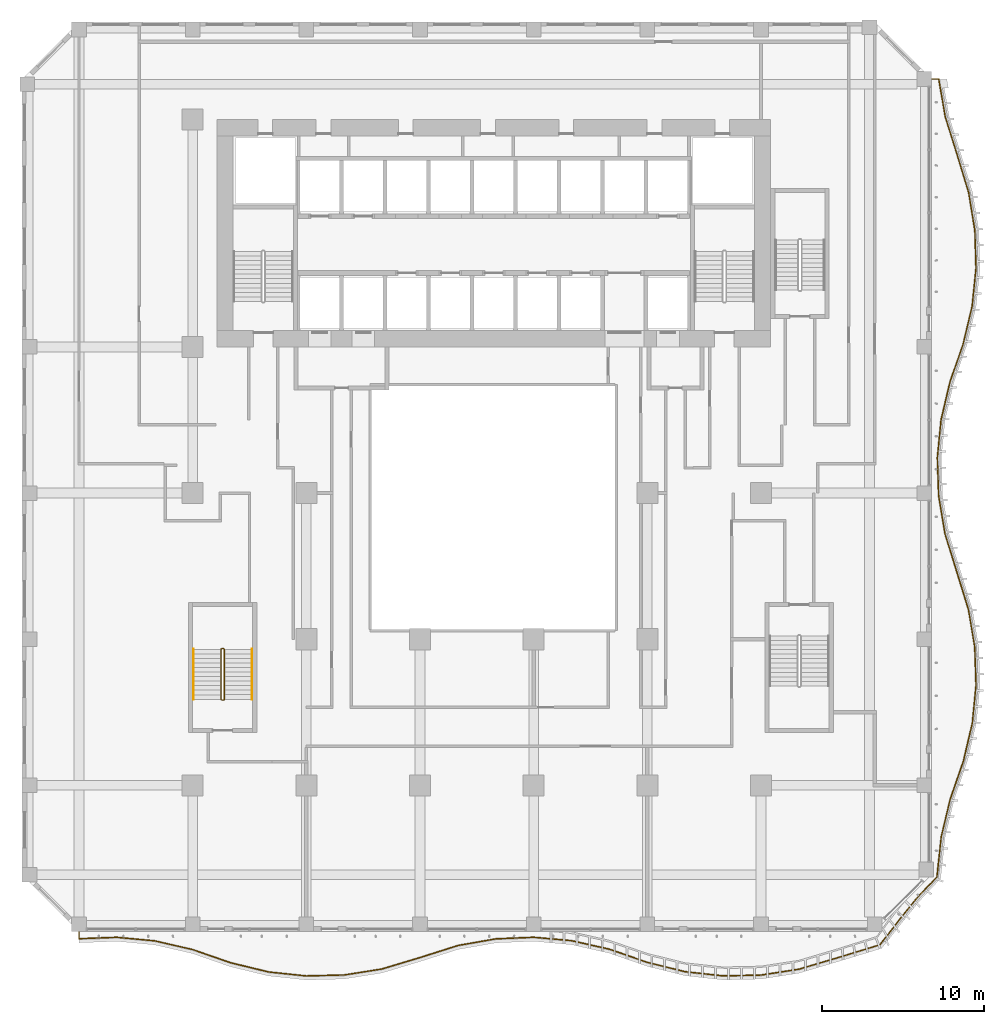
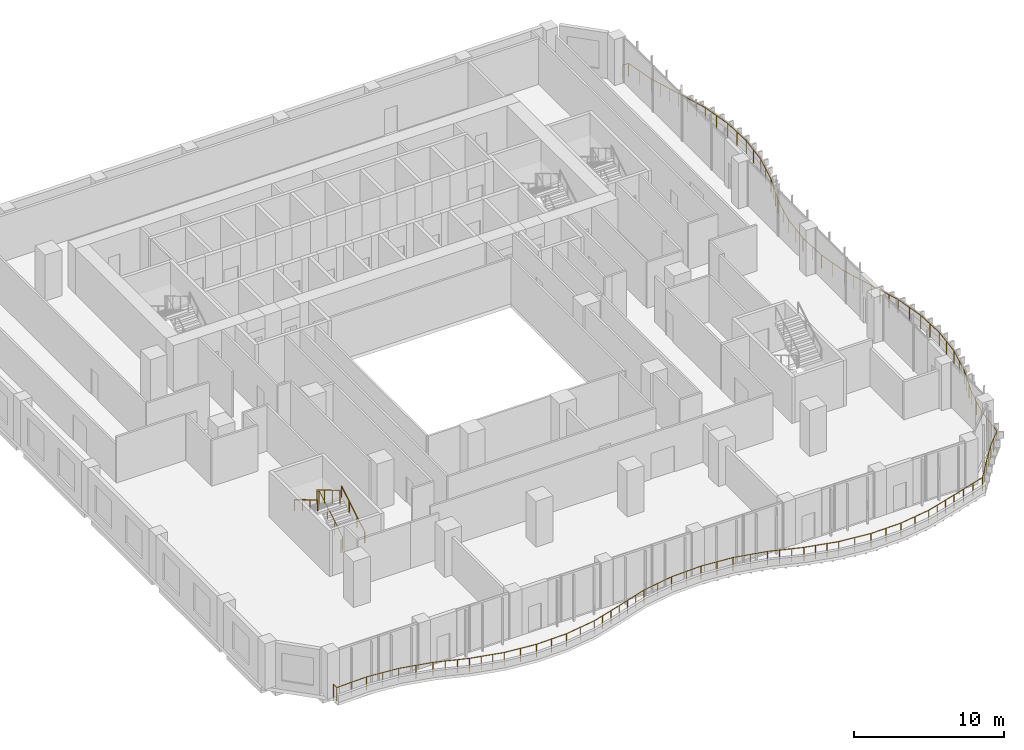
# One storey, part 18 of 25: 4 railings.
"""IFC4 building model written with IfcOpenShell, lengths in metres."""

from ifc_helpers import new_model, si_unit, direction, frame, origin, origin_2d, place, context, subcontext, project, spatial, circle, extrude, material, type_object, element, save


model = new_model("IFC4")

# Units and contexts
model_context = context("Model", 3, precision=1e-05, world=origin(), true_north=direction((0.0, 1.0)))
body_context = subcontext(model_context, "Body", "Model", "MODEL_VIEW")
ifc_project = project(units=[si_unit("LENGTHUNIT", "METRE"), si_unit("AREAUNIT", "SQUARE_METRE"), si_unit("VOLUMEUNIT", "CUBIC_METRE"), si_unit("PLANEANGLEUNIT", "RADIAN"), si_unit("MASSUNIT", "GRAM", prefix="KILO")], contexts=[model_context])

# Site, building, storey
site_placement = place(None, origin())
site = spatial("IfcSite", under=ifc_project, at=site_placement, CompositionType="ELEMENT")
building_placement = place(site_placement, origin())
building = spatial("IfcBuilding", under=site, at=building_placement, Name="Kilnfold Tower and Market Hall", CompositionType="ELEMENT")
storey_placement = place(building_placement, frame((0.0, 0.0, 39.0)))
storey = spatial("IfcBuildingStorey", under=building, at=storey_placement, Name="L08", CompositionType="ELEMENT", Elevation=39.0)

# Railings
ifc_material_1 = material(Name="Stainless steel 316", Category="steel")
railing_type_1 = type_object("IfcRailingType", Name="CORE STAIR GUARD 1100", PredefinedType="GUARDRAIL", material=ifc_material_1)
railing_1_placement = place(storey_placement, frame((-15.699951171875, -13.75, 0.0)))
element("IfcRailing", 1, at=railing_1_placement, inside=storey, type_object=railing_type_1, Name="L08 ST3 stair guard 1", PredefinedType="GUARDRAIL", context=body_context, shape_type="SweptSolid", body=[
    extrude(circle(Radius=0.02392578125, at=origin_2d()), frame((0.0, 0.0, 1.076171875), z_axis=(1.0, 0.0, 0.0), x_axis=(0.0, 1.0, 0.0)), (0.0, 0.0, 1.0), 0.099853515625),
    extrude(circle(Radius=0.02392578125, at=origin_2d()), frame((0.099853515625, 0.0, 1.076171875), z_axis=(0.27628659633, 0.27628659633, 0.920506074601), x_axis=(-0.707106781187, 0.707106781187, 0.0)), (0.0, 0.0, 1.0), 0.18115234375),
    extrude(circle(Radius=0.02392578125, at=origin_2d()), frame((0.14990234375, 0.050048828125, 1.24267578125), z_axis=(0.0, 0.859290745958, 0.51148745235), x_axis=(-1.0, 0.0, 0.0)), (0.0, 0.0, 1.0), 3.584228515625),
    extrude(circle(Radius=0.02392578125, at=origin_2d()), frame((0.14990234375, 3.1298828125, 3.076171875), z_axis=(-0.707106781187, 0.707106781187, 0.0), x_axis=(-0.707106781187, -0.707106781187, 0.0)), (0.0, 0.0, 1.0), 0.07080078125),
    extrude(circle(Radius=0.02392578125, at=origin_2d()), frame((0.099853515625, 3.179931640625, 3.076171875), z_axis=(-1.0, 0.0, 0.0), x_axis=(0.0, -1.0, 0.0)), (0.0, 0.0, 1.0), 0.099853515625),
    extrude(circle(Radius=0.02392578125, at=origin_2d()), frame((0.0, 3.179931640625, 3.076171875), z_axis=(-0.27628659633, -0.27628659633, 0.920506074601), x_axis=(0.707106781187, -0.707106781187, 0.0)), (0.0, 0.0, 1.0), 0.18115234375),
    extrude(circle(Radius=0.02392578125, at=origin_2d()), frame((-0.050048828125, 3.1298828125, 3.24267578125), z_axis=(0.0, -0.859290745958, 0.51148745235), x_axis=(1.0, 0.0, 0.0)), (0.0, 0.0, 1.0), 3.584228515625),
    extrude(circle(Radius=0.02099609375, at=origin_2d()), origin(), (0.0, 0.0, 1.0), 1.052001953125),
    extrude(circle(Radius=0.02099609375, at=origin_2d()), frame((0.099853515625, 0.0, 0.0)), (0.0, 0.0, 1.0), 1.052001953125),
    extrude(circle(Radius=0.02099609375, at=origin_2d()), frame((0.14990234375, 0.050048828125, 0.166748046875)), (0.0, 0.0, 1.0), 1.052001953125),
    extrude(circle(Radius=0.02099609375, at=origin_2d()), frame((0.14990234375, 1.07666015625, 0.77783203125)), (0.0, 0.0, 1.0), 1.052001953125),
    extrude(circle(Radius=0.02099609375, at=origin_2d()), frame((0.14990234375, 2.103271484375, 1.388916015625)), (0.0, 0.0, 1.0), 1.052001953125),
    extrude(circle(Radius=0.02099609375, at=origin_2d()), frame((0.14990234375, 3.1298828125, 2.0)), (0.0, 0.0, 1.0), 1.052001953125),
    extrude(circle(Radius=0.02099609375, at=origin_2d()), frame((0.099853515625, 3.179931640625, 2.0)), (0.0, 0.0, 1.0), 1.052001953125),
    extrude(circle(Radius=0.02099609375, at=origin_2d()), frame((0.0, 3.179931640625, 2.0)), (0.0, 0.0, 1.0), 1.052001953125),
    extrude(circle(Radius=0.02099609375, at=origin_2d()), frame((-0.050048828125, 3.1298828125, 2.166748046875)), (0.0, 0.0, 1.0), 1.052001953125),
    extrude(circle(Radius=0.02099609375, at=origin_2d()), frame((-0.050048828125, 2.103271484375, 2.77783203125)), (0.0, 0.0, 1.0), 1.052001953125),
    extrude(circle(Radius=0.02099609375, at=origin_2d()), frame((-0.050048828125, 1.07666015625, 3.388916015625)), (0.0, 0.0, 1.0), 1.052001953125),
    extrude(circle(Radius=0.02099609375, at=origin_2d()), frame((-0.050048828125, 0.050048828125, 4.0)), (0.0, 0.0, 1.0), 1.052001953125),
])
ifc_material_2 = material(Name="Stainless steel 316", Category="steel")
railing_type_2 = type_object("IfcRailingType", Name="CORE STAIR HANDRAIL 900", PredefinedType="HANDRAIL", material=ifc_material_2)
railing_2_placement = place(storey_placement, frame((-13.85009765625, -13.699951171875, 0.166748046875)))
element("IfcRailing", 2, at=railing_2_placement, inside=storey, type_object=railing_type_2, Name="L08 ST3 stair handrail 1", PredefinedType="HANDRAIL", context=body_context, shape_type="SweptSolid", body=[
    extrude(circle(Radius=0.02392578125, at=origin_2d()), frame((0.0, 0.0, 0.8759765625), z_axis=(0.0, 0.859290745958, 0.51148745235), x_axis=(-1.0, 0.0, 0.0)), (0.0, 0.0, 1.0), 3.584228515625),
    extrude(circle(Radius=0.02099609375, at=origin_2d()), origin(), (0.0, 0.0, 1.0), 0.851806640625),
    extrude(circle(Radius=0.02099609375, at=origin_2d()), frame((0.0, 1.026611328125, 0.611083984375)), (0.0, 0.0, 1.0), 0.851806640625),
    extrude(circle(Radius=0.02099609375, at=origin_2d()), frame((0.0, 2.05322265625, 1.22216796875)), (0.0, 0.0, 1.0), 0.851806640625),
    extrude(circle(Radius=0.02099609375, at=origin_2d()), frame((0.0, 3.079833984375, 1.833251953125)), (0.0, 0.0, 1.0), 0.851806640625),
])
railing_3_placement = place(storey_placement, frame((-17.449951171875, -10.6201171875, 2.166748046875)))
element("IfcRailing", 3, at=railing_3_placement, inside=storey, type_object=railing_type_2, Name="L08 ST3 stair handrail 2", PredefinedType="HANDRAIL", context=body_context, shape_type="SweptSolid", body=[
    extrude(circle(Radius=0.02392578125, at=origin_2d()), frame((0.0, 0.0, 0.8759765625), z_axis=(0.0, -0.859290745958, 0.51148745235), x_axis=(1.0, 0.0, 0.0)), (0.0, 0.0, 1.0), 3.584228515625),
    extrude(circle(Radius=0.02099609375, at=origin_2d()), origin(), (0.0, 0.0, 1.0), 0.851806640625),
    extrude(circle(Radius=0.02099609375, at=origin_2d()), frame((0.0, -1.026611328125, 0.611083984375)), (0.0, 0.0, 1.0), 0.851806640625),
    extrude(circle(Radius=0.02099609375, at=origin_2d()), frame((0.0, -2.05322265625, 1.22216796875)), (0.0, 0.0, 1.0), 0.851806640625),
    extrude(circle(Radius=0.02099609375, at=origin_2d()), frame((0.0, -3.079833984375, 1.833251953125)), (0.0, 0.0, 1.0), 0.851806640625),
])
ifc_material_3 = material(Name="Stainless steel and laminated glass", Category="steel")
railing_type_3 = type_object("IfcRailingType", Name="GUARD 1100", PredefinedType="GUARDRAIL", material=ifc_material_3)
railing_4_placement = place(storey_placement, frame((-24.5, -28.0, 0.0)))
element("IfcRailing", 4, at=railing_4_placement, inside=storey, type_object=railing_type_3, Name="Guard balcony L08", PredefinedType="GUARDRAIL", context=body_context, shape_type="SweptSolid", body=[
    extrude(circle(Radius=0.02490234375, at=origin_2d()), frame((0.0, 0.0, 1.0751953125), z_axis=(0.0, -1.0, 0.0), x_axis=(1.0, 0.0, 0.0)), (0.0, 0.0, 1.0), 0.44482421875),
    extrude(circle(Radius=0.02490234375, at=origin_2d()), frame((0.0, -0.44482421875, 1.0751953125), z_axis=(0.99929128772, 0.037642028208, 0.0), x_axis=(-0.037642028208, 0.99929128772, 0.0)), (0.0, 0.0, 1.0), 2.3349609375),
    extrude(circle(Radius=0.02490234375, at=origin_2d()), frame((2.333251953125, -0.35693359375, 1.0751953125), z_axis=(0.995644505792, -0.093230993166, 0.0), x_axis=(0.093230993166, 0.995644505792, 0.0)), (0.0, 0.0, 1.0), 2.34375),
    extrude(circle(Radius=0.02490234375, at=origin_2d()), frame((4.666748046875, -0.575439453125, 1.0751953125), z_axis=(0.974513070735, -0.224330726757, 0.0), x_axis=(0.224330726757, 0.974513070735, 0.0)), (0.0, 0.0, 1.0), 2.394287109375),
    extrude(circle(Radius=0.02490234375, at=origin_2d()), frame((7.0, -1.112548828125, 1.0751953125), z_axis=(0.94477785136, -0.327711476118, 0.0), x_axis=(0.327711476118, 0.94477785136, 0.0)), (0.0, 0.0, 1.0), 2.4697265625),
    extrude(circle(Radius=0.02490234375, at=origin_2d()), frame((9.333251953125, -1.921875, 1.0751953125), z_axis=(0.971689053427, -0.236263377293, 0.0), x_axis=(0.236263377293, 0.971689053427, 0.0)), (0.0, 0.0, 1.0), 2.4013671875),
    extrude(circle(Radius=0.02490234375, at=origin_2d()), frame((11.666748046875, -2.4892578125, 1.0751953125), z_axis=(0.994451154316, -0.105199342578, 0.0), x_axis=(0.105199342578, 0.994451154316, 0.0)), (0.0, 0.0, 1.0), 2.34619140625),
    extrude(circle(Radius=0.02490234375, at=origin_2d()), frame((14.0, -2.736083984375, 1.0751953125), z_axis=(0.999666187007, 0.025836303044, 0.0), x_axis=(-0.025836303044, 0.999666187007, 0.0)), (0.0, 0.0, 1.0), 2.333984375),
    extrude(circle(Radius=0.02490234375, at=origin_2d()), frame((16.333251953125, -2.67578125, 1.0751953125), z_axis=(0.987637813882, 0.156753145392, 0.0), x_axis=(-0.156753145392, 0.987637813882, 0.0)), (0.0, 0.0, 1.0), 2.36279296875),
    extrude(circle(Radius=0.02490234375, at=origin_2d()), frame((18.666748046875, -2.305419921875, 1.0751953125), z_axis=(0.957663412718, 0.287890235925, 0.0), x_axis=(-0.287890235925, 0.957663412718, 0.0)), (0.0, 0.0, 1.0), 2.436279296875),
    extrude(circle(Radius=0.02490234375, at=origin_2d()), frame((21.0, -1.60400390625, 1.0751953125), z_axis=(0.952921851424, 0.303216003995, 0.0), x_axis=(-0.303216003995, 0.952921851424, 0.0)), (0.0, 0.0, 1.0), 2.448486328125),
    extrude(circle(Radius=0.02490234375, at=origin_2d()), frame((23.333251953125, -0.861572265625, 1.0751953125), z_axis=(0.984971791129, 0.172715287919, 0.0), x_axis=(-0.172715287919, 0.984971791129, 0.0)), (0.0, 0.0, 1.0), 2.369140625),
    extrude(circle(Radius=0.02490234375, at=origin_2d()), frame((25.666748046875, -0.452392578125, 1.0751953125), z_axis=(0.999129627144, 0.041713165348, 0.0), x_axis=(-0.041713165348, 0.999129627144, 0.0)), (0.0, 0.0, 1.0), 2.335205078125),
    extrude(circle(Radius=0.02490234375, at=origin_2d()), frame((28.0, -0.35498046875, 1.0751953125), z_axis=(0.996003508368, -0.089314116006, 0.0), x_axis=(0.089314116006, 0.996003508368, 0.0)), (0.0, 0.0, 1.0), 2.342529296875),
    extrude(circle(Radius=0.02490234375, at=origin_2d()), frame((30.333251953125, -0.564208984375, 1.0751953125), z_axis=(0.975424731517, -0.220332914349, 0.0), x_axis=(0.220332914349, 0.975424731517, 0.0)), (0.0, 0.0, 1.0), 2.392333984375),
    extrude(circle(Radius=0.02490234375, at=origin_2d()), frame((32.666748046875, -1.09130859375, 1.0751953125), z_axis=(0.944930811153, -0.327270166885, 0.0), x_axis=(0.327270166885, 0.944930811153, 0.0)), (0.0, 0.0, 1.0), 2.46923828125),
    extrude(circle(Radius=0.02490234375, at=origin_2d()), frame((35.0, -1.8994140625, 1.0751953125), z_axis=(0.970719285672, -0.240216711375, 0.0), x_axis=(0.240216711375, 0.970719285672, 0.0)), (0.0, 0.0, 1.0), 2.403564453125),
    extrude(circle(Radius=0.02490234375, at=origin_2d()), frame((37.333251953125, -2.476806640625, 1.0751953125), z_axis=(0.994031227519, -0.109095915219, 0.0), x_axis=(0.109095915219, 0.994031227519, 0.0)), (0.0, 0.0, 1.0), 2.347412109375),
    extrude(circle(Radius=0.02490234375, at=origin_2d()), frame((39.666748046875, -2.73291015625, 1.0751953125), z_axis=(0.999763244951, 0.021758999158, 0.0), x_axis=(-0.021758999158, 0.999763244951, 0.0)), (0.0, 0.0, 1.0), 2.333740234375),
    extrude(circle(Radius=0.02490234375, at=origin_2d()), frame((42.0, -2.68212890625, 1.0751953125), z_axis=(0.988251847609, 0.152834177123, 0.0), x_axis=(-0.152834177123, 0.988251847609, 0.0)), (0.0, 0.0, 1.0), 2.361083984375),
    extrude(circle(Radius=0.02490234375, at=origin_2d()), frame((44.333251953125, -2.3212890625, 1.0751953125), z_axis=(0.95888005112, 0.283811640994, 0.0), x_axis=(-0.283811640994, 0.95888005112, 0.0)), (0.0, 0.0, 1.0), 2.43359375),
    extrude(circle(Radius=0.02490234375, at=origin_2d()), frame((46.666748046875, -1.630615234375, 1.0751953125), z_axis=(0.956056495729, 0.29318249773, 0.0), x_axis=(-0.29318249773, 0.956056495729, 0.0)), (0.0, 0.0, 1.0), 2.792236328125),
    extrude(circle(Radius=0.02490234375, at=origin_2d()), frame((49.336181640625, -0.81201171875, 1.0751953125), z_axis=(0.608544097831, 0.793520057084, 0.0), x_axis=(-0.793520057084, 0.608544097831, 0.0)), (0.0, 0.0, 1.0), 2.00341796875),
    extrude(circle(Radius=0.02490234375, at=origin_2d()), frame((50.555419921875, 0.77783203125, 1.0751953125), z_axis=(0.630404206472, 0.776267052284, 0.0), x_axis=(-0.776267052284, 0.630404206472, 0.0)), (0.0, 0.0, 1.0), 1.65869140625),
    extrude(circle(Radius=0.02490234375, at=origin_2d()), frame((51.60107421875, 2.0654296875, 1.0751953125), z_axis=(0.689072203812, 0.724692692066, 0.0), x_axis=(-0.724692692066, 0.689072203812, 0.0)), (0.0, 0.0, 1.0), 1.788818359375),
    extrude(circle(Radius=0.02490234375, at=origin_2d()), frame((52.833740234375, 3.36181640625, 1.0751953125), z_axis=(0.106668378268, 0.994294653047, 0.0), x_axis=(-0.994294653047, 0.106668378268, 0.0)), (0.0, 0.0, 1.0), 2.485595703125),
    extrude(circle(Radius=0.02490234375, at=origin_2d()), frame((53.098876953125, 5.833251953125, 1.0751953125), z_axis=(0.232225826385, 0.972661896838, 0.0), x_axis=(-0.972661896838, 0.232225826385, 0.0)), (0.0, 0.0, 1.0), 2.399169921875),
    extrude(circle(Radius=0.02490234375, at=origin_2d()), frame((53.656005859375, 8.166748046875, 1.0751953125), z_axis=(0.327976158754, 0.944686000367, 0.0), x_axis=(-0.944686000367, 0.327976158754, 0.0)), (0.0, 0.0, 1.0), 2.469970703125),
    extrude(circle(Radius=0.02490234375, at=origin_2d()), frame((54.466064453125, 10.5, 1.0751953125), z_axis=(0.228198867295, 0.973614542293, 0.0), x_axis=(-0.973614542293, 0.228198867295, 0.0)), (0.0, 0.0, 1.0), 2.396484375),
    extrude(circle(Radius=0.02490234375, at=origin_2d()), frame((55.012939453125, 12.833251953125, 1.0751953125), z_axis=(0.097255940957, 0.995259404351, 0.0), x_axis=(-0.995259404351, 0.097255940957, 0.0)), (0.0, 0.0, 1.0), 2.3447265625),
    extrude(circle(Radius=0.02490234375, at=origin_2d()), frame((55.240966796875, 15.166748046875, 1.0751953125), z_axis=(-0.033673473879, 0.99943288777, 0.0), x_axis=(-0.99943288777, -0.033673473879, 0.0)), (0.0, 0.0, 1.0), 2.33447265625),
    extrude(circle(Radius=0.02490234375, at=origin_2d()), frame((55.162353515625, 17.5, 1.0751953125), z_axis=(-0.164817368585, 0.986324102419, 0.0), x_axis=(-0.986324102419, -0.164817368585, 0.0)), (0.0, 0.0, 1.0), 2.36572265625),
    extrude(circle(Radius=0.02490234375, at=origin_2d()), frame((54.7724609375, 19.833251953125, 1.0751953125), z_axis=(-0.295735845624, 0.95526975751, 0.0), x_axis=(-0.95526975751, -0.295735845624, 0.0)), (0.0, 0.0, 1.0), 2.44287109375),
    extrude(circle(Radius=0.02490234375, at=origin_2d()), frame((54.050048828125, 22.166748046875, 1.0751953125), z_axis=(-0.29585528967, 0.955232771409, 0.0), x_axis=(-0.955232771409, -0.29585528967, 0.0)), (0.0, 0.0, 1.0), 2.442626953125),
    extrude(circle(Radius=0.02490234375, at=origin_2d()), frame((53.327392578125, 24.5, 1.0751953125), z_axis=(-0.164716965182, 0.986340874841, 0.0), x_axis=(-0.986340874841, -0.164716965182, 0.0)), (0.0, 0.0, 1.0), 2.365478515625),
    extrude(circle(Radius=0.02490234375, at=origin_2d()), frame((52.937744140625, 26.833251953125, 1.0751953125), z_axis=(-0.033774400789, 0.99942948218, 0.0), x_axis=(-0.99942948218, -0.033774400789, 0.0)), (0.0, 0.0, 1.0), 2.334716796875),
    extrude(circle(Radius=0.02490234375, at=origin_2d()), frame((52.85888671875, 29.166748046875, 1.0751953125), z_axis=(0.097266021095, 0.995258419276, 0.0), x_axis=(-0.995258419276, 0.097266021095, 0.0)), (0.0, 0.0, 1.0), 2.344482421875),
    extrude(circle(Radius=0.02490234375, at=origin_2d()), frame((53.0869140625, 31.5, 1.0751953125), z_axis=(0.228295433335, 0.973591903786, 0.0), x_axis=(-0.973591903786, 0.228295433335, 0.0)), (0.0, 0.0, 1.0), 2.396484375),
    extrude(circle(Radius=0.02490234375, at=origin_2d()), frame((53.634033203125, 33.833251953125, 1.0751953125), z_axis=(0.327945535063, 0.944696631746, 0.0), x_axis=(-0.944696631746, 0.327945535063, 0.0)), (0.0, 0.0, 1.0), 2.47021484375),
    extrude(circle(Radius=0.02490234375, at=origin_2d()), frame((54.444091796875, 36.166748046875, 1.0751953125), z_axis=(0.232248814801, 0.972656408, 0.0), x_axis=(-0.972656408, 0.232248814801, 0.0)), (0.0, 0.0, 1.0), 2.39892578125),
    extrude(circle(Radius=0.02490234375, at=origin_2d()), frame((55.001220703125, 38.5, 1.0751953125), z_axis=(0.101286610936, 0.994857287477, 0.0), x_axis=(-0.994857287477, 0.101286610936, 0.0)), (0.0, 0.0, 1.0), 2.34521484375),
    extrude(circle(Radius=0.02490234375, at=origin_2d()), frame((55.23876953125, 40.833251953125, 1.0751953125), z_axis=(-0.029804706654, 0.999555741048, 0.0), x_axis=(-0.999555741048, -0.029804706654, 0.0)), (0.0, 0.0, 1.0), 2.33447265625),
    extrude(circle(Radius=0.02490234375, at=origin_2d()), frame((55.169189453125, 43.166748046875, 1.0751953125), z_axis=(-0.160797265855, 0.986987456503, 0.0), x_axis=(-0.986987456503, -0.160797265855, 0.0)), (0.0, 0.0, 1.0), 2.364013671875),
    extrude(circle(Radius=0.02490234375, at=origin_2d()), frame((54.7890625, 45.5, 1.0751953125), z_axis=(-0.291834576062, 0.956468807758, 0.0), x_axis=(-0.956468807758, -0.291834576062, 0.0)), (0.0, 0.0, 1.0), 2.439453125),
    extrude(circle(Radius=0.02490234375, at=origin_2d()), frame((54.0771484375, 47.833251953125, 1.0751953125), z_axis=(-0.299650095299, 0.954049170843, 0.0), x_axis=(-0.954049170843, -0.299650095299, 0.0)), (0.0, 0.0, 1.0), 2.44580078125),
    extrude(circle(Radius=0.02490234375, at=origin_2d()), frame((53.34423828125, 50.166748046875, 1.0751953125), z_axis=(-0.168729077701, 0.985662466739, 0.0), x_axis=(-0.985662466739, -0.168729077701, 0.0)), (0.0, 0.0, 1.0), 2.3671875),
    extrude(circle(Radius=0.02490234375, at=origin_2d()), frame((52.94482421875, 52.5, 1.0751953125), z_axis=(-1.0, 0.0, 0.0), x_axis=(0.0, -1.0, 0.0)), (0.0, 0.0, 1.0), 0.44482421875),
    extrude(circle(Radius=0.02490234375, at=origin_2d()), origin(), (0.0, 0.0, 1.0), 1.050048828125),
    extrude(circle(Radius=0.02490234375, at=origin_2d()), frame((0.0, -0.44482421875, 0.0)), (0.0, 0.0, 1.0), 1.050048828125),
    extrude(circle(Radius=0.02490234375, at=origin_2d()), frame((1.16650390625, -0.40087890625, 0.0)), (0.0, 0.0, 1.0), 1.050048828125),
    extrude(circle(Radius=0.02490234375, at=origin_2d()), frame((2.333251953125, -0.35693359375, 0.0)), (0.0, 0.0, 1.0), 1.050048828125),
    extrude(circle(Radius=0.02490234375, at=origin_2d()), frame((3.5, -0.46630859375, 0.0)), (0.0, 0.0, 1.0), 1.050048828125),
    extrude(circle(Radius=0.02490234375, at=origin_2d()), frame((4.666748046875, -0.575439453125, 0.0)), (0.0, 0.0, 1.0), 1.050048828125),
    extrude(circle(Radius=0.02490234375, at=origin_2d()), frame((5.83349609375, -0.843994140625, 0.0)), (0.0, 0.0, 1.0), 1.050048828125),
    extrude(circle(Radius=0.02490234375, at=origin_2d()), frame((7.0, -1.112548828125, 0.0)), (0.0, 0.0, 1.0), 1.050048828125),
    extrude(circle(Radius=0.02490234375, at=origin_2d()), frame((7.77783203125, -1.38232421875, 0.0)), (0.0, 0.0, 1.0), 1.050048828125),
    extrude(circle(Radius=0.02490234375, at=origin_2d()), frame((8.555419921875, -1.652099609375, 0.0)), (0.0, 0.0, 1.0), 1.050048828125),
    extrude(circle(Radius=0.02490234375, at=origin_2d()), frame((9.333251953125, -1.921875, 0.0)), (0.0, 0.0, 1.0), 1.050048828125),
    extrude(circle(Radius=0.02490234375, at=origin_2d()), frame((10.111083984375, -2.111083984375, 0.0)), (0.0, 0.0, 1.0), 1.050048828125),
    extrude(circle(Radius=0.02490234375, at=origin_2d()), frame((10.888916015625, -2.300048828125, 0.0)), (0.0, 0.0, 1.0), 1.050048828125),
    extrude(circle(Radius=0.02490234375, at=origin_2d()), frame((11.666748046875, -2.4892578125, 0.0)), (0.0, 0.0, 1.0), 1.050048828125),
    extrude(circle(Radius=0.02490234375, at=origin_2d()), frame((12.83349609375, -2.61279296875, 0.0)), (0.0, 0.0, 1.0), 1.050048828125),
    extrude(circle(Radius=0.02490234375, at=origin_2d()), frame((14.0, -2.736083984375, 0.0)), (0.0, 0.0, 1.0), 1.050048828125),
    extrude(circle(Radius=0.02490234375, at=origin_2d()), frame((15.16650390625, -2.7060546875, 0.0)), (0.0, 0.0, 1.0), 1.050048828125),
    extrude(circle(Radius=0.02490234375, at=origin_2d()), frame((16.333251953125, -2.67578125, 0.0)), (0.0, 0.0, 1.0), 1.050048828125),
    extrude(circle(Radius=0.02490234375, at=origin_2d()), frame((17.5, -2.49072265625, 0.0)), (0.0, 0.0, 1.0), 1.050048828125),
    extrude(circle(Radius=0.02490234375, at=origin_2d()), frame((18.666748046875, -2.305419921875, 0.0)), (0.0, 0.0, 1.0), 1.050048828125),
    extrude(circle(Radius=0.02490234375, at=origin_2d()), frame((19.444580078125, -2.071533203125, 0.0)), (0.0, 0.0, 1.0), 1.050048828125),
    extrude(circle(Radius=0.02490234375, at=origin_2d()), frame((20.22216796875, -1.837890625, 0.0)), (0.0, 0.0, 1.0), 1.050048828125),
    extrude(circle(Radius=0.02490234375, at=origin_2d()), frame((21.0, -1.60400390625, 0.0)), (0.0, 0.0, 1.0), 1.050048828125),
    extrude(circle(Radius=0.02490234375, at=origin_2d()), frame((21.77783203125, -1.3564453125, 0.0)), (0.0, 0.0, 1.0), 1.050048828125),
    extrude(circle(Radius=0.02490234375, at=origin_2d()), frame((22.555419921875, -1.109130859375, 0.0)), (0.0, 0.0, 1.0), 1.050048828125),
    extrude(circle(Radius=0.02490234375, at=origin_2d()), frame((23.333251953125, -0.861572265625, 0.0)), (0.0, 0.0, 1.0), 1.050048828125),
    extrude(circle(Radius=0.02490234375, at=origin_2d()), frame((24.5, -0.656982421875, 0.0)), (0.0, 0.0, 1.0), 1.050048828125),
    extrude(circle(Radius=0.02490234375, at=origin_2d()), frame((25.666748046875, -0.452392578125, 0.0)), (0.0, 0.0, 1.0), 1.050048828125),
    extrude(circle(Radius=0.02490234375, at=origin_2d()), frame((26.83349609375, -0.40380859375, 0.0)), (0.0, 0.0, 1.0), 1.050048828125),
    extrude(circle(Radius=0.02490234375, at=origin_2d()), frame((28.0, -0.35498046875, 0.0)), (0.0, 0.0, 1.0), 1.050048828125),
    extrude(circle(Radius=0.02490234375, at=origin_2d()), frame((29.16650390625, -0.45947265625, 0.0)), (0.0, 0.0, 1.0), 1.050048828125),
    extrude(circle(Radius=0.02490234375, at=origin_2d()), frame((30.333251953125, -0.564208984375, 0.0)), (0.0, 0.0, 1.0), 1.050048828125),
    extrude(circle(Radius=0.02490234375, at=origin_2d()), frame((31.5, -0.82763671875, 0.0)), (0.0, 0.0, 1.0), 1.050048828125),
    extrude(circle(Radius=0.02490234375, at=origin_2d()), frame((32.666748046875, -1.09130859375, 0.0)), (0.0, 0.0, 1.0), 1.050048828125),
    extrude(circle(Radius=0.02490234375, at=origin_2d()), frame((33.444580078125, -1.360595703125, 0.0)), (0.0, 0.0, 1.0), 1.050048828125),
    extrude(circle(Radius=0.02490234375, at=origin_2d()), frame((34.22216796875, -1.630126953125, 0.0)), (0.0, 0.0, 1.0), 1.050048828125),
    extrude(circle(Radius=0.02490234375, at=origin_2d()), frame((35.0, -1.8994140625, 0.0)), (0.0, 0.0, 1.0), 1.050048828125),
    extrude(circle(Radius=0.02490234375, at=origin_2d()), frame((35.77783203125, -2.091796875, 0.0)), (0.0, 0.0, 1.0), 1.050048828125),
    extrude(circle(Radius=0.02490234375, at=origin_2d()), frame((36.555419921875, -2.284423828125, 0.0)), (0.0, 0.0, 1.0), 1.050048828125),
    extrude(circle(Radius=0.02490234375, at=origin_2d()), frame((37.333251953125, -2.476806640625, 0.0)), (0.0, 0.0, 1.0), 1.050048828125),
    extrude(circle(Radius=0.02490234375, at=origin_2d()), frame((38.5, -2.60498046875, 0.0)), (0.0, 0.0, 1.0), 1.050048828125),
    extrude(circle(Radius=0.02490234375, at=origin_2d()), frame((39.666748046875, -2.73291015625, 0.0)), (0.0, 0.0, 1.0), 1.050048828125),
    extrude(circle(Radius=0.02490234375, at=origin_2d()), frame((40.83349609375, -2.70751953125, 0.0)), (0.0, 0.0, 1.0), 1.050048828125),
    extrude(circle(Radius=0.02490234375, at=origin_2d()), frame((42.0, -2.68212890625, 0.0)), (0.0, 0.0, 1.0), 1.050048828125),
    extrude(circle(Radius=0.02490234375, at=origin_2d()), frame((43.16650390625, -2.501708984375, 0.0)), (0.0, 0.0, 1.0), 1.050048828125),
    extrude(circle(Radius=0.02490234375, at=origin_2d()), frame((44.333251953125, -2.3212890625, 0.0)), (0.0, 0.0, 1.0), 1.050048828125),
    extrude(circle(Radius=0.02490234375, at=origin_2d()), frame((45.111083984375, -2.091064453125, 0.0)), (0.0, 0.0, 1.0), 1.050048828125),
    extrude(circle(Radius=0.02490234375, at=origin_2d()), frame((45.888916015625, -1.86083984375, 0.0)), (0.0, 0.0, 1.0), 1.050048828125),
    extrude(circle(Radius=0.02490234375, at=origin_2d()), frame((46.666748046875, -1.630615234375, 0.0)), (0.0, 0.0, 1.0), 1.050048828125),
    extrude(circle(Radius=0.02490234375, at=origin_2d()), frame((47.556640625, -1.357666015625, 0.0)), (0.0, 0.0, 1.0), 1.050048828125),
    extrude(circle(Radius=0.02490234375, at=origin_2d()), frame((48.4462890625, -1.0849609375, 0.0)), (0.0, 0.0, 1.0), 1.050048828125),
    extrude(circle(Radius=0.02490234375, at=origin_2d()), frame((49.336181640625, -0.81201171875, 0.0)), (0.0, 0.0, 1.0), 1.050048828125),
    extrude(circle(Radius=0.02490234375, at=origin_2d()), frame((49.94580078125, -0.01708984375, 0.0)), (0.0, 0.0, 1.0), 1.050048828125),
    extrude(circle(Radius=0.02490234375, at=origin_2d()), frame((50.555419921875, 0.77783203125, 0.0)), (0.0, 0.0, 1.0), 1.050048828125),
    extrude(circle(Radius=0.02490234375, at=origin_2d()), frame((51.078125, 1.421630859375, 0.0)), (0.0, 0.0, 1.0), 1.050048828125),
    extrude(circle(Radius=0.02490234375, at=origin_2d()), frame((51.60107421875, 2.0654296875, 0.0)), (0.0, 0.0, 1.0), 1.050048828125),
    extrude(circle(Radius=0.02490234375, at=origin_2d()), frame((52.21728515625, 2.713623046875, 0.0)), (0.0, 0.0, 1.0), 1.050048828125),
    extrude(circle(Radius=0.02490234375, at=origin_2d()), frame((52.833740234375, 3.36181640625, 0.0)), (0.0, 0.0, 1.0), 1.050048828125),
    extrude(circle(Radius=0.02490234375, at=origin_2d()), frame((52.922119140625, 4.185546875, 0.0)), (0.0, 0.0, 1.0), 1.050048828125),
    extrude(circle(Radius=0.02490234375, at=origin_2d()), frame((53.010498046875, 5.009521484375, 0.0)), (0.0, 0.0, 1.0), 1.050048828125),
    extrude(circle(Radius=0.02490234375, at=origin_2d()), frame((53.098876953125, 5.833251953125, 0.0)), (0.0, 0.0, 1.0), 1.050048828125),
    extrude(circle(Radius=0.02490234375, at=origin_2d()), frame((53.37744140625, 7.0, 0.0)), (0.0, 0.0, 1.0), 1.050048828125),
    extrude(circle(Radius=0.02490234375, at=origin_2d()), frame((53.656005859375, 8.166748046875, 0.0)), (0.0, 0.0, 1.0), 1.050048828125),
    extrude(circle(Radius=0.02490234375, at=origin_2d()), frame((53.926025390625, 8.944580078125, 0.0)), (0.0, 0.0, 1.0), 1.050048828125),
    extrude(circle(Radius=0.02490234375, at=origin_2d()), frame((54.196044921875, 9.72216796875, 0.0)), (0.0, 0.0, 1.0), 1.050048828125),
    extrude(circle(Radius=0.02490234375, at=origin_2d()), frame((54.466064453125, 10.5, 0.0)), (0.0, 0.0, 1.0), 1.050048828125),
    extrude(circle(Radius=0.02490234375, at=origin_2d()), frame((54.739501953125, 11.66650390625, 0.0)), (0.0, 0.0, 1.0), 1.050048828125),
    extrude(circle(Radius=0.02490234375, at=origin_2d()), frame((55.012939453125, 12.833251953125, 0.0)), (0.0, 0.0, 1.0), 1.050048828125),
    extrude(circle(Radius=0.02490234375, at=origin_2d()), frame((55.126953125, 14.0, 0.0)), (0.0, 0.0, 1.0), 1.050048828125),
    extrude(circle(Radius=0.02490234375, at=origin_2d()), frame((55.240966796875, 15.166748046875, 0.0)), (0.0, 0.0, 1.0), 1.050048828125),
    extrude(circle(Radius=0.02490234375, at=origin_2d()), frame((55.20166015625, 16.33349609375, 0.0)), (0.0, 0.0, 1.0), 1.050048828125),
    extrude(circle(Radius=0.02490234375, at=origin_2d()), frame((55.162353515625, 17.5, 0.0)), (0.0, 0.0, 1.0), 1.050048828125),
    extrude(circle(Radius=0.02490234375, at=origin_2d()), frame((54.96728515625, 18.66650390625, 0.0)), (0.0, 0.0, 1.0), 1.050048828125),
    extrude(circle(Radius=0.02490234375, at=origin_2d()), frame((54.7724609375, 19.833251953125, 0.0)), (0.0, 0.0, 1.0), 1.050048828125),
    extrude(circle(Radius=0.02490234375, at=origin_2d()), frame((54.53173828125, 20.611083984375, 0.0)), (0.0, 0.0, 1.0), 1.050048828125),
    extrude(circle(Radius=0.02490234375, at=origin_2d()), frame((54.290771484375, 21.388916015625, 0.0)), (0.0, 0.0, 1.0), 1.050048828125),
    extrude(circle(Radius=0.02490234375, at=origin_2d()), frame((54.050048828125, 22.166748046875, 0.0)), (0.0, 0.0, 1.0), 1.050048828125),
    extrude(circle(Radius=0.02490234375, at=origin_2d()), frame((53.80908203125, 22.944580078125, 0.0)), (0.0, 0.0, 1.0), 1.050048828125),
    extrude(circle(Radius=0.02490234375, at=origin_2d()), frame((53.568359375, 23.72216796875, 0.0)), (0.0, 0.0, 1.0), 1.050048828125),
    extrude(circle(Radius=0.02490234375, at=origin_2d()), frame((53.327392578125, 24.5, 0.0)), (0.0, 0.0, 1.0), 1.050048828125),
    extrude(circle(Radius=0.02490234375, at=origin_2d()), frame((53.132568359375, 25.66650390625, 0.0)), (0.0, 0.0, 1.0), 1.050048828125),
    extrude(circle(Radius=0.02490234375, at=origin_2d()), frame((52.937744140625, 26.833251953125, 0.0)), (0.0, 0.0, 1.0), 1.050048828125),
    extrude(circle(Radius=0.02490234375, at=origin_2d()), frame((52.8984375, 28.0, 0.0)), (0.0, 0.0, 1.0), 1.050048828125),
    extrude(circle(Radius=0.02490234375, at=origin_2d()), frame((52.85888671875, 29.166748046875, 0.0)), (0.0, 0.0, 1.0), 1.050048828125),
    extrude(circle(Radius=0.02490234375, at=origin_2d()), frame((52.972900390625, 30.33349609375, 0.0)), (0.0, 0.0, 1.0), 1.050048828125),
    extrude(circle(Radius=0.02490234375, at=origin_2d()), frame((53.0869140625, 31.5, 0.0)), (0.0, 0.0, 1.0), 1.050048828125),
    extrude(circle(Radius=0.02490234375, at=origin_2d()), frame((53.3603515625, 32.66650390625, 0.0)), (0.0, 0.0, 1.0), 1.050048828125),
    extrude(circle(Radius=0.02490234375, at=origin_2d()), frame((53.634033203125, 33.833251953125, 0.0)), (0.0, 0.0, 1.0), 1.050048828125),
    extrude(circle(Radius=0.02490234375, at=origin_2d()), frame((53.904052734375, 34.611083984375, 0.0)), (0.0, 0.0, 1.0), 1.050048828125),
    extrude(circle(Radius=0.02490234375, at=origin_2d()), frame((54.174072265625, 35.388916015625, 0.0)), (0.0, 0.0, 1.0), 1.050048828125),
    extrude(circle(Radius=0.02490234375, at=origin_2d()), frame((54.444091796875, 36.166748046875, 0.0)), (0.0, 0.0, 1.0), 1.050048828125),
    extrude(circle(Radius=0.02490234375, at=origin_2d()), frame((54.72265625, 37.33349609375, 0.0)), (0.0, 0.0, 1.0), 1.050048828125),
    extrude(circle(Radius=0.02490234375, at=origin_2d()), frame((55.001220703125, 38.5, 0.0)), (0.0, 0.0, 1.0), 1.050048828125),
    extrude(circle(Radius=0.02490234375, at=origin_2d()), frame((55.1201171875, 39.66650390625, 0.0)), (0.0, 0.0, 1.0), 1.050048828125),
    extrude(circle(Radius=0.02490234375, at=origin_2d()), frame((55.23876953125, 40.833251953125, 0.0)), (0.0, 0.0, 1.0), 1.050048828125),
    extrude(circle(Radius=0.02490234375, at=origin_2d()), frame((55.2041015625, 42.0, 0.0)), (0.0, 0.0, 1.0), 1.050048828125),
    extrude(circle(Radius=0.02490234375, at=origin_2d()), frame((55.169189453125, 43.166748046875, 0.0)), (0.0, 0.0, 1.0), 1.050048828125),
    extrude(circle(Radius=0.02490234375, at=origin_2d()), frame((54.97900390625, 44.33349609375, 0.0)), (0.0, 0.0, 1.0), 1.050048828125),
    extrude(circle(Radius=0.02490234375, at=origin_2d()), frame((54.7890625, 45.5, 0.0)), (0.0, 0.0, 1.0), 1.050048828125),
    extrude(circle(Radius=0.02490234375, at=origin_2d()), frame((54.5517578125, 46.27783203125, 0.0)), (0.0, 0.0, 1.0), 1.050048828125),
    extrude(circle(Radius=0.02490234375, at=origin_2d()), frame((54.314453125, 47.055419921875, 0.0)), (0.0, 0.0, 1.0), 1.050048828125),
    extrude(circle(Radius=0.02490234375, at=origin_2d()), frame((54.0771484375, 47.833251953125, 0.0)), (0.0, 0.0, 1.0), 1.050048828125),
    extrude(circle(Radius=0.02490234375, at=origin_2d()), frame((53.832763671875, 48.611083984375, 0.0)), (0.0, 0.0, 1.0), 1.050048828125),
    extrude(circle(Radius=0.02490234375, at=origin_2d()), frame((53.588623046875, 49.388916015625, 0.0)), (0.0, 0.0, 1.0), 1.050048828125),
    extrude(circle(Radius=0.02490234375, at=origin_2d()), frame((53.34423828125, 50.166748046875, 0.0)), (0.0, 0.0, 1.0), 1.050048828125),
    extrude(circle(Radius=0.02490234375, at=origin_2d()), frame((53.14453125, 51.33349609375, 0.0)), (0.0, 0.0, 1.0), 1.050048828125),
    extrude(circle(Radius=0.02490234375, at=origin_2d()), frame((52.94482421875, 52.5, 0.0)), (0.0, 0.0, 1.0), 1.050048828125),
    extrude(circle(Radius=0.02490234375, at=origin_2d()), frame((52.5, 52.5, 0.0)), (0.0, 0.0, 1.0), 1.050048828125),
])

save(model, "model.ifc")
